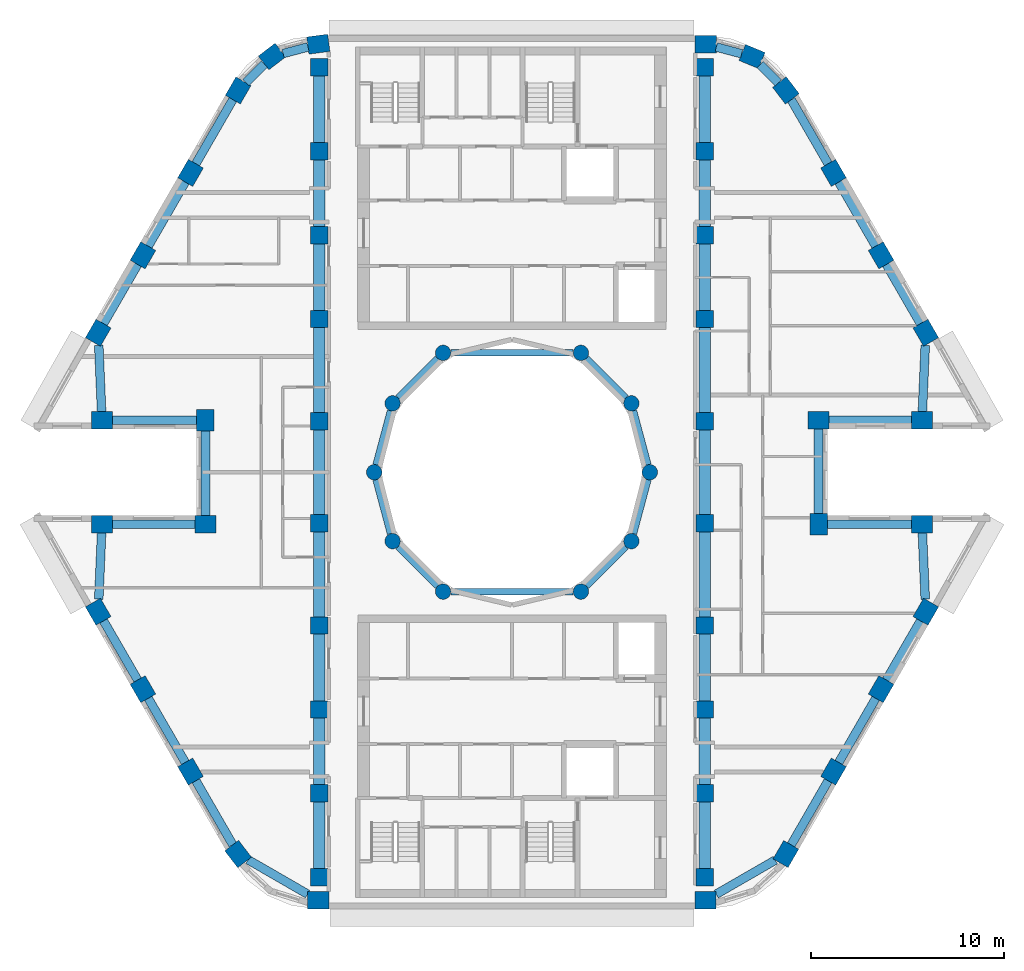
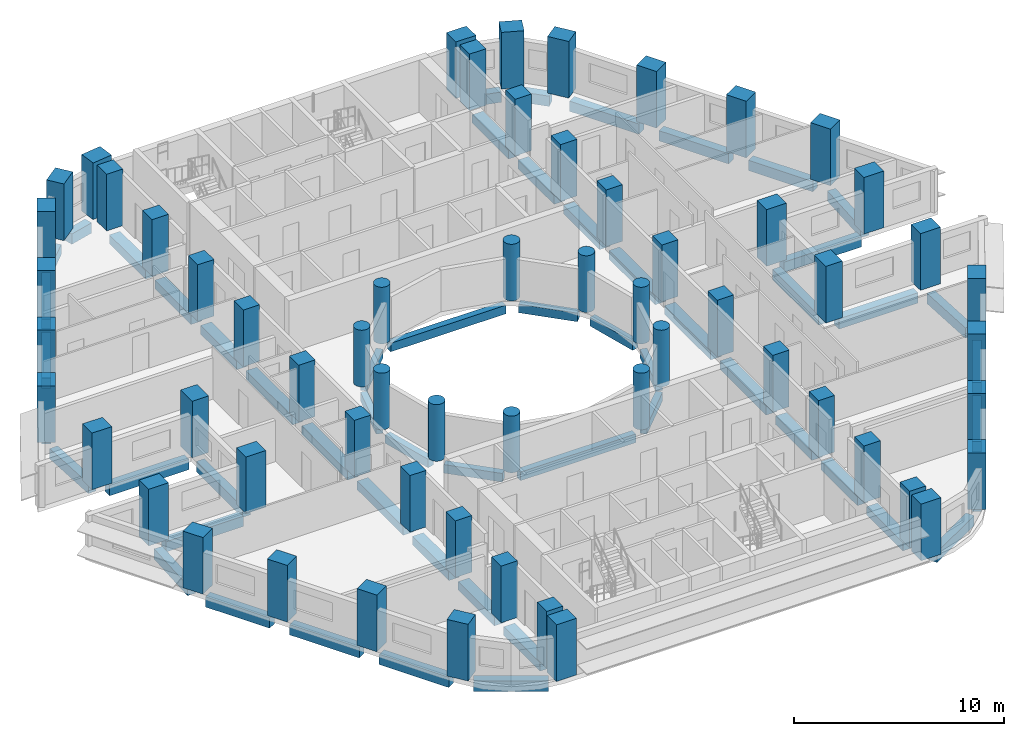
# One storey, part 1 of 12: 60 columns, 56 beams.
"""IFC4 building model written with IfcOpenShell, lengths in metres."""

from ifc_helpers import new_model, si_unit, direction, frame, origin, origin_2d, place, context, subcontext, project, spatial, rectangle, circle, extrude, material, material_profile, profile_set, type_object, element, save


model = new_model("IFC4")

# Units and contexts
model_context = context("Model", 3, precision=1e-05, world=origin(), true_north=direction((0.0, 1.0)))
body_context = subcontext(model_context, "Body", "Model", "MODEL_VIEW")
ifc_project = project(units=[si_unit("LENGTHUNIT", "METRE"), si_unit("AREAUNIT", "SQUARE_METRE"), si_unit("VOLUMEUNIT", "CUBIC_METRE"), si_unit("PLANEANGLEUNIT", "RADIAN"), si_unit("MASSUNIT", "GRAM", prefix="KILO")], contexts=[model_context])

# Site, building, storey
site_placement = place(None, origin())
site = spatial("IfcSite", under=ifc_project, at=site_placement, CompositionType="ELEMENT")
building_placement = place(site_placement, origin())
building = spatial("IfcBuilding", under=site, at=building_placement, Name="Nakaniwa Court", CompositionType="ELEMENT")
storey_placement = place(building_placement, frame((0.0, 0.0, 255.89990234375)))
storey = spatial("IfcBuildingStorey", under=building, at=storey_placement, Name="L67", CompositionType="ELEMENT", Elevation=255.89990234375)

# Columns
ifc_material = material(Name="Concrete C80/100", Category="concrete")
ifc_material_profile_1 = material_profile(ifc_material, rectangle(XDim=1.10009765625, YDim=0.89990234375, at=origin_2d()), Name="Concrete C80/100 RC 1100x900 perimeter column")
ifc_profile_set_1 = profile_set([ifc_material_profile_1], Name="Concrete C80/100")
column_type_1 = type_object("IfcColumnType", Name="Concrete C80/100 RC 1100x900 perimeter column", PredefinedType="COLUMN", material=ifc_profile_set_1)
for number, where, z_axis, x_axis, name in (
    (1, (69.95458984375, 102.199951171875, 0.0), (0.0, 0.0, 1.0), (-0.991442583111, -0.130543496177, 0.0), "COLUMN CO-01"),
    (2, (67.552001953125, 101.560302734375, 0.0), (0.0, 0.0, 1.0), (-0.793363965062, -0.608747582288, 0.0), "COLUMN CO-02"),
    (3, (65.796875, 99.799560546875, 0.0), (0.0, 0.0, 1.0), (-0.5, -0.866025403784, 0.0), "COLUMN CO-03"),
    (4, (63.328857421875, 95.524658203125, 0.0), (0.0, 0.0, 1.0), (-0.5, -0.866025403784, 0.0), "COLUMN CO-04"),
    (5, (60.860595703125, 91.249755859375, 0.0), (0.0, 0.0, 1.0), (-0.5, -0.866025403784, 0.0), "COLUMN CO-05"),
    (6, (58.541015625, 87.232177734375, 0.0), (0.0, 0.0, 1.0), (-0.5, -0.866025403784, 0.0), "COLUMN CO-06"),
    (7, (58.736083984375, 82.699951171875, 0.0), (0.0, 0.0, 1.0), (1.0, 0.0, 0.0), "COLUMN CO-08"),
    (8, (64.1005859375, 82.699951171875, 0.0), (0.0, 0.0, 1.0), (0.0, -1.0, 0.0), "COLUMN CO-09"),
    (9, (64.1005859375, 77.300048828125, 0.0), (0.0, 0.0, 1.0), (-1.0, 0.0, 0.0), "COLUMN CO-10"),
    (10, (58.736083984375, 77.300048828125, 0.0), (0.0, 0.0, 1.0), (-1.0, 0.0, 0.0), "COLUMN CO-11"),
    (11, (58.541015625, 72.767822265625, 0.0), (0.0, 0.0, 1.0), (0.5, -0.866025403784, 0.0), "COLUMN CO-13"),
    (12, (60.860595703125, 68.750244140625, 0.0), (0.0, 0.0, 1.0), (0.5, -0.866025403784, 0.0), "COLUMN CO-14"),
    (13, (63.328857421875, 64.475341796875, 0.0), (0.0, 0.0, 1.0), (0.5, -0.866025403784, 0.0), "COLUMN CO-15"),
    (14, (65.796875, 60.200439453125, 0.0), (0.0, 0.0, 1.0), (0.608761429009, -0.793353340291, 0.0), "COLUMN CO-16"),
    (15, (69.95458984375, 57.800048828125, 0.0), (0.0, 0.0, 1.0), (1.0, 0.0, 0.0), "COLUMN CO-17"),
    (16, (90.03955078125, 57.800048828125, 0.0), (0.0, 0.0, 1.0), (1.0, 0.0, 0.0), "COLUMN CO-21"),
    (17, (94.203125, 60.200439453125, 0.0), (0.0, 0.0, 1.0), (0.5, 0.866025403784, 0.0), "COLUMN CO-22"),
    (18, (96.671142578125, 64.475341796875, 0.0), (0.0, 0.0, 1.0), (0.5, 0.866025403784, 0.0), "COLUMN CO-23"),
    (19, (99.139404296875, 68.750244140625, 0.0), (0.0, 0.0, 1.0), (0.5, 0.866025403784, 0.0), "COLUMN CO-24"),
    (20, (101.458984375, 72.767822265625, 0.0), (0.0, 0.0, 1.0), (0.5, 0.866025403784, 0.0), "COLUMN CO-25"),
    (21, (101.263916015625, 77.300048828125, 0.0), (0.0, 0.0, 1.0), (-1.0, 0.0, 0.0), "COLUMN CO-27"),
    (22, (95.8994140625, 77.300048828125, 0.0), (0.0, 0.0, 1.0), (0.0, 1.0, 0.0), "COLUMN CO-28"),
    (23, (95.8994140625, 82.699951171875, 0.0), (0.0, 0.0, 1.0), (1.0, 0.0, 0.0), "COLUMN CO-29"),
    (24, (101.263916015625, 82.699951171875, 0.0), (0.0, 0.0, 1.0), (1.0, 0.0, 0.0), "COLUMN CO-30"),
    (25, (101.458984375, 87.232177734375, 0.0), (0.0, 0.0, 1.0), (-0.5, 0.866025403784, 0.0), "COLUMN CO-32"),
    (26, (99.139404296875, 91.249755859375, 0.0), (0.0, 0.0, 1.0), (-0.5, 0.866025403784, 0.0), "COLUMN CO-33"),
    (27, (96.671142578125, 95.524658203125, 0.0), (0.0, 0.0, 1.0), (-0.5, 0.866025403784, 0.0), "COLUMN CO-34"),
    (28, (94.203125, 99.799560546875, 0.0), (0.0, 0.0, 1.0), (-0.608761429009, 0.793353340291, 0.0), "COLUMN CO-35"),
    (29, (92.447998046875, 101.560302734375, 0.0), (0.0, 0.0, 1.0), (-0.923879532511, 0.382683432365, 0.0), "COLUMN CO-36"),
    (30, (90.04541015625, 102.199951171875, 0.0), (0.0, 0.0, 1.0), (-1.0, 0.0, 0.0), "COLUMN CO-37"),
):
    element("IfcColumn", number, at=place(storey_placement, frame(where, z_axis=z_axis, x_axis=x_axis)), inside=storey, type_object=column_type_1, Name=name, PredefinedType="COLUMN", context=body_context, shape_type="SweptSolid", body=[
        extrude(rectangle(XDim=1.10009765625, YDim=0.89990234375, at=origin_2d()), origin(), (0.0, 0.0, 1.0), 3.300048828125),
    ])
ifc_material_profile_2 = material_profile(ifc_material, rectangle(XDim=0.89990234375, YDim=0.89990234375, at=origin_2d()), Name="Concrete C80/100 RC 900x900 spine column")
ifc_profile_set_2 = profile_set([ifc_material_profile_2], Name="Concrete C80/100")
column_type_2 = type_object("IfcColumnType", Name="Concrete C80/100 RC 900x900 spine column", PredefinedType="COLUMN", material=ifc_profile_set_2)
for number, where, z_axis, x_axis, name in (
    (31, (90.0, 59.0, 0.0), (0.0, 0.0, 1.0), (0.0, 1.0, 0.0), "COLUMN CS-01"),
    (32, (90.0, 63.35009765625, 0.0), (0.0, 0.0, 1.0), (0.0, 1.0, 0.0), "COLUMN CS-02"),
    (33, (90.0, 67.699951171875, 0.0), (0.0, 0.0, 1.0), (0.0, 1.0, 0.0), "COLUMN CS-03"),
    (34, (90.0, 72.050048828125, 0.0), (0.0, 0.0, 1.0), (0.0, 1.0, 0.0), "COLUMN CS-04"),
    (35, (90.0, 77.35009765625, 0.0), (0.0, 0.0, 1.0), (0.0, 1.0, 0.0), "COLUMN CS-05"),
    (36, (90.0, 82.64990234375, 0.0), (0.0, 0.0, 1.0), (0.0, 1.0, 0.0), "COLUMN CS-06"),
    (37, (90.0, 87.949951171875, 0.0), (0.0, 0.0, 1.0), (0.0, 1.0, 0.0), "COLUMN CS-07"),
    (38, (90.0, 92.300048828125, 0.0), (0.0, 0.0, 1.0), (0.0, 1.0, 0.0), "COLUMN CS-08"),
    (39, (90.0, 96.64990234375, 0.0), (0.0, 0.0, 1.0), (0.0, 1.0, 0.0), "COLUMN CS-09"),
    (40, (90.0, 101.0, 0.0), (0.0, 0.0, 1.0), (0.0, 1.0, 0.0), "COLUMN CS-10"),
    (41, (70.0, 101.0, 0.0), (0.0, 0.0, 1.0), (0.0, -1.0, 0.0), "COLUMN CS-11"),
    (42, (70.0, 96.64990234375, 0.0), (0.0, 0.0, 1.0), (0.0, -1.0, 0.0), "COLUMN CS-12"),
    (43, (70.0, 92.300048828125, 0.0), (0.0, 0.0, 1.0), (0.0, -1.0, 0.0), "COLUMN CS-13"),
    (44, (70.0, 87.949951171875, 0.0), (0.0, 0.0, 1.0), (0.0, -1.0, 0.0), "COLUMN CS-14"),
    (45, (70.0, 82.64990234375, 0.0), (0.0, 0.0, 1.0), (0.0, -1.0, 0.0), "COLUMN CS-15"),
    (46, (70.0, 77.35009765625, 0.0), (0.0, 0.0, 1.0), (0.0, -1.0, 0.0), "COLUMN CS-16"),
    (47, (70.0, 72.050048828125, 0.0), (0.0, 0.0, 1.0), (0.0, -1.0, 0.0), "COLUMN CS-17"),
    (48, (70.0, 67.699951171875, 0.0), (0.0, 0.0, 1.0), (0.0, -1.0, 0.0), "COLUMN CS-18"),
    (49, (70.0, 63.35009765625, 0.0), (0.0, 0.0, 1.0), (0.0, -1.0, 0.0), "COLUMN CS-19"),
    (50, (70.0, 59.0, 0.0), (0.0, 0.0, 1.0), (0.0, -1.0, 0.0), "COLUMN CS-20"),
):
    element("IfcColumn", number, at=place(storey_placement, frame(where, z_axis=z_axis, x_axis=x_axis)), inside=storey, type_object=column_type_2, Name=name, PredefinedType="COLUMN", context=body_context, shape_type="SweptSolid", body=[
        extrude(rectangle(XDim=0.89990234375, YDim=0.89990234375, at=origin_2d()), origin(), (0.0, 0.0, 1.0), 3.300048828125),
    ])
ifc_material_profile_3 = material_profile(ifc_material, circle(Radius=0.39990234375, at=origin_2d()), Name="Concrete C80/100 RC D800 inner ring column")
ifc_profile_set_3 = profile_set([ifc_material_profile_3], Name="Concrete C80/100")
column_type_3 = type_object("IfcColumnType", Name="Concrete C80/100 RC D800 inner ring column", PredefinedType="COLUMN", material=ifc_profile_set_3)
for number, where, z_axis, x_axis, name in (
    (51, (87.14990234375, 80.0, 0.0), (0.0, 0.0, 1.0), (0.0, 1.0, 0.0), "COLUMN CI-01"),
    (52, (86.192138671875, 83.574951171875, 0.0), (0.0, 0.0, 1.0), (-0.5, 0.866025403784, 0.0), "COLUMN CI-02"),
    (53, (83.574951171875, 86.192138671875, 0.0), (0.0, 0.0, 1.0), (-0.866025403784, 0.5, 0.0), "COLUMN CI-03"),
    (54, (76.425048828125, 86.192138671875, 0.0), (0.0, 0.0, 1.0), (-0.866025403784, -0.5, 0.0), "COLUMN CI-05"),
    (55, (73.807861328125, 83.574951171875, 0.0), (0.0, 0.0, 1.0), (-0.5, -0.866025403784, 0.0), "COLUMN CI-06"),
    (56, (72.85009765625, 80.0, 0.0), (0.0, 0.0, 1.0), (0.0, -1.0, 0.0), "COLUMN CI-07"),
    (57, (73.807861328125, 76.425048828125, 0.0), (0.0, 0.0, 1.0), (0.5, -0.866025403784, 0.0), "COLUMN CI-08"),
    (58, (76.425048828125, 73.807861328125, 0.0), (0.0, 0.0, 1.0), (0.866025403784, -0.5, 0.0), "COLUMN CI-09"),
    (59, (83.574951171875, 73.807861328125, 0.0), (0.0, 0.0, 1.0), (0.866025403784, 0.5, 0.0), "COLUMN CI-11"),
    (60, (86.192138671875, 76.425048828125, 0.0), (0.0, 0.0, 1.0), (0.5, 0.866025403784, 0.0), "COLUMN CI-12"),
):
    element("IfcColumn", number, at=place(storey_placement, frame(where, z_axis=z_axis, x_axis=x_axis)), inside=storey, type_object=column_type_3, Name=name, PredefinedType="COLUMN", context=body_context, shape_type="SweptSolid", body=[
        extrude(circle(Radius=0.39990234375, at=origin_2d()), origin(), (0.0, 0.0, 1.0), 3.300048828125),
    ])

# Beams
ifc_material_profile_4 = material_profile(ifc_material, rectangle(XDim=0.35009765625, YDim=0.5, at=origin_2d()), Name="Concrete C80/100 RC 350x500 ring beam")
ifc_profile_set_4 = profile_set([ifc_material_profile_4], Name="Concrete C80/100")
beam_type_1 = type_object("IfcBeamType", Name="Concrete C80/100 RC 350x500 ring beam", PredefinedType="BEAM", material=ifc_profile_set_4)
beam_1_placement = place(storey_placement, frame((87.04638671875, 80.386474609375, -0.52490234375), z_axis=(-0.258778150207, 0.965936783115, 0.0), x_axis=(-0.965936783115, -0.258778150207, 0.0)))
element("IfcBeam", 61, at=beam_1_placement, inside=storey, type_object=beam_type_1, Name="RING BEAM", PredefinedType="BEAM", context=body_context, shape_type="SweptSolid", body=[
    extrude(rectangle(XDim=0.35009765625, YDim=0.5, at=origin_2d()), origin(), (0.0, 0.0, 1.0), 2.901123046875),
])
beam_2_placement = place(storey_placement, frame((85.9091796875, 83.85791015625, -0.52490234375), z_axis=(-0.707106781187, 0.707106781187, 0.0), x_axis=(-0.707106781187, -0.707106781187, 0.0)))
element("IfcBeam", 62, at=beam_2_placement, inside=storey, type_object=beam_type_1, Name="RING BEAM", PredefinedType="BEAM", context=body_context, shape_type="SweptSolid", body=[
    extrude(rectangle(XDim=0.35009765625, YDim=0.5, at=origin_2d()), origin(), (0.0, 0.0, 1.0), 2.90087890625),
])
beam_3_placement = place(storey_placement, frame((83.175048828125, 86.192138671875, -0.52490234375), z_axis=(-1.0, 0.0, 0.0), x_axis=(0.0, -1.0, 0.0)))
element("IfcBeam", 63, at=beam_3_placement, inside=storey, type_object=beam_type_1, Name="RING BEAM", PredefinedType="BEAM", context=body_context, shape_type="SweptSolid", body=[
    extrude(rectangle(XDim=0.35009765625, YDim=0.5, at=origin_2d()), origin(), (0.0, 0.0, 1.0), 6.35009765625),
])
beam_4_placement = place(storey_placement, frame((76.14208984375, 85.9091796875, -0.52490234375), z_axis=(-0.707106781187, -0.707106781187, 0.0), x_axis=(0.707106781187, -0.707106781187, 0.0)))
element("IfcBeam", 64, at=beam_4_placement, inside=storey, type_object=beam_type_1, Name="RING BEAM", PredefinedType="BEAM", context=body_context, shape_type="SweptSolid", body=[
    extrude(rectangle(XDim=0.35009765625, YDim=0.5, at=origin_2d()), origin(), (0.0, 0.0, 1.0), 2.90087890625),
])
for number, where, z_axis, x_axis, name in (
    (65, (73.704345703125, 83.188720703125, -0.52490234375), (-0.258778150207, -0.965936783115, 0.0), (0.965936783115, -0.258778150207, 0.0), "RING BEAM"),
    (66, (72.95361328125, 79.613525390625, -0.52490234375), (0.258778150207, -0.965936783115, 0.0), (0.965936783115, 0.258778150207, 0.0), "RING BEAM"),
):
    element("IfcBeam", number, at=place(storey_placement, frame(where, z_axis=z_axis, x_axis=x_axis)), inside=storey, type_object=beam_type_1, Name=name, PredefinedType="BEAM", context=body_context, shape_type="SweptSolid", body=[
        extrude(rectangle(XDim=0.35009765625, YDim=0.5, at=origin_2d()), origin(), (0.0, 0.0, 1.0), 2.901123046875),
    ])
beam_5_placement = place(storey_placement, frame((74.0908203125, 76.14208984375, -0.52490234375), z_axis=(0.707106781187, -0.707106781187, 0.0), x_axis=(0.707106781187, 0.707106781187, 0.0)))
element("IfcBeam", 67, at=beam_5_placement, inside=storey, type_object=beam_type_1, Name="RING BEAM", PredefinedType="BEAM", context=body_context, shape_type="SweptSolid", body=[
    extrude(rectangle(XDim=0.35009765625, YDim=0.5, at=origin_2d()), origin(), (0.0, 0.0, 1.0), 2.90087890625),
])
beam_6_placement = place(storey_placement, frame((76.824951171875, 73.807861328125, -0.52490234375), z_axis=(1.0, 0.0, 0.0), x_axis=(0.0, 1.0, 0.0)))
element("IfcBeam", 68, at=beam_6_placement, inside=storey, type_object=beam_type_1, Name="RING BEAM", PredefinedType="BEAM", context=body_context, shape_type="SweptSolid", body=[
    extrude(rectangle(XDim=0.35009765625, YDim=0.5, at=origin_2d()), origin(), (0.0, 0.0, 1.0), 6.35009765625),
])
beam_7_placement = place(storey_placement, frame((83.85791015625, 74.0908203125, -0.52490234375), z_axis=(0.707106781187, 0.707106781187, 0.0), x_axis=(-0.707106781187, 0.707106781187, 0.0)))
element("IfcBeam", 69, at=beam_7_placement, inside=storey, type_object=beam_type_1, Name="RING BEAM", PredefinedType="BEAM", context=body_context, shape_type="SweptSolid", body=[
    extrude(rectangle(XDim=0.35009765625, YDim=0.5, at=origin_2d()), origin(), (0.0, 0.0, 1.0), 2.90087890625),
])
beam_8_placement = place(storey_placement, frame((86.295654296875, 76.811279296875, -0.52490234375), z_axis=(0.258778150207, 0.965936783115, 0.0), x_axis=(-0.965936783115, 0.258778150207, 0.0)))
element("IfcBeam", 70, at=beam_8_placement, inside=storey, type_object=beam_type_1, Name="RING BEAM", PredefinedType="BEAM", context=body_context, shape_type="SweptSolid", body=[
    extrude(rectangle(XDim=0.35009765625, YDim=0.5, at=origin_2d()), origin(), (0.0, 0.0, 1.0), 2.901123046875),
])
ifc_material_profile_5 = material_profile(ifc_material, rectangle(XDim=0.449951171875, YDim=0.60009765625, at=origin_2d()), Name="Concrete C80/100 RC 450x600 spandrel beam")
ifc_profile_set_5 = profile_set([ifc_material_profile_5], Name="Concrete C80/100")
beam_type_2 = type_object("IfcBeamType", Name="Concrete C80/100 RC 450x600 spandrel beam", PredefinedType="BEAM", material=ifc_profile_set_5)
beam_9_placement = place(storey_placement, frame((69.418701171875, 102.057373046875, -0.574951171875), z_axis=(-0.966286479475, -0.257469298332, 0.0), x_axis=(0.257469298332, -0.966286479475, 0.0)))
element("IfcBeam", 71, at=beam_9_placement, inside=storey, type_object=beam_type_2, Name="SPANDREL BEAM", PredefinedType="BEAM", context=body_context, shape_type="SweptSolid", body=[
    extrude(rectangle(XDim=0.449951171875, YDim=0.60009765625, at=origin_2d()), origin(), (0.0, 0.0, 1.0), 1.3359375),
])
beam_10_placement = place(storey_placement, frame((67.160400390625, 101.167236328125, -0.574951171875), z_axis=(-0.706030517025, -0.708181409689, 0.0), x_axis=(0.708181409689, -0.706030517025, 0.0)))
element("IfcBeam", 72, at=beam_10_placement, inside=storey, type_object=beam_type_2, Name="SPANDREL BEAM", PredefinedType="BEAM", context=body_context, shape_type="SweptSolid", body=[
    extrude(rectangle(XDim=0.449951171875, YDim=0.60009765625, at=origin_2d()), origin(), (0.0, 0.0, 1.0), 1.362060546875),
])
for number, where, z_axis, x_axis, name in (
    (73, (65.52197265625, 99.3232421875, -0.574951171875), (-0.50001992892, -0.866013897511, 0.0), (0.866013897511, -0.50001992892, 0.0), "SPANDREL BEAM"),
    (74, (63.0537109375, 95.04833984375, -0.574951171875), (-0.499972197867, -0.866041454758, 0.0), (0.866041454758, -0.499972197867, 0.0), "SPANDREL BEAM"),
):
    element("IfcBeam", number, at=place(storey_placement, frame(where, z_axis=z_axis, x_axis=x_axis)), inside=storey, type_object=beam_type_2, Name=name, PredefinedType="BEAM", context=body_context, shape_type="SweptSolid", body=[
        extrude(rectangle(XDim=0.449951171875, YDim=0.60009765625, at=origin_2d()), origin(), (0.0, 0.0, 1.0), 3.836181640625),
    ])
beam_11_placement = place(storey_placement, frame((60.585693359375, 90.7734375, -0.574951171875), z_axis=(-0.499997139945, -0.866027055032, 0.0), x_axis=(0.866027055032, -0.499997139945, 0.0)))
element("IfcBeam", 75, at=beam_11_placement, inside=storey, type_object=beam_type_2, Name="SPANDREL BEAM", PredefinedType="BEAM", context=body_context, shape_type="SweptSolid", body=[
    extrude(rectangle(XDim=0.449951171875, YDim=0.60009765625, at=origin_2d()), origin(), (0.0, 0.0, 1.0), 3.5390625),
])
beam_12_placement = place(storey_placement, frame((58.569091796875, 86.580810546875, -0.574951171875), z_axis=(0.042940503042, -0.999077631217, 0.0), x_axis=(0.999077631217, 0.042940503042, 0.0)))
element("IfcBeam", 76, at=beam_12_placement, inside=storey, type_object=beam_type_2, Name="SPANDREL BEAM", PredefinedType="BEAM", context=body_context, shape_type="SweptSolid", body=[
    extrude(rectangle(XDim=0.449951171875, YDim=0.60009765625, at=origin_2d()), origin(), (0.0, 0.0, 1.0), 3.43408203125),
])
beam_13_placement = place(storey_placement, frame((59.285888671875, 82.699951171875, -0.574951171875), z_axis=(1.0, 0.0, 0.0), x_axis=(0.0, 1.0, 0.0)))
element("IfcBeam", 77, at=beam_13_placement, inside=storey, type_object=beam_type_2, Name="SPANDREL BEAM", PredefinedType="BEAM", context=body_context, shape_type="SweptSolid", body=[
    extrude(rectangle(XDim=0.449951171875, YDim=0.60009765625, at=origin_2d()), origin(), (0.0, 0.0, 1.0), 4.364501953125),
])
beam_14_placement = place(storey_placement, frame((64.1005859375, 82.14990234375, -0.574951171875), z_axis=(0.0, -1.0, 0.0), x_axis=(1.0, 0.0, 0.0)))
element("IfcBeam", 78, at=beam_14_placement, inside=storey, type_object=beam_type_2, Name="SPANDREL BEAM", PredefinedType="BEAM", context=body_context, shape_type="SweptSolid", body=[
    extrude(rectangle(XDim=0.449951171875, YDim=0.60009765625, at=origin_2d()), origin(), (0.0, 0.0, 1.0), 4.39990234375),
])
beam_15_placement = place(storey_placement, frame((63.550537109375, 77.300048828125, -0.574951171875), z_axis=(-1.0, 0.0, 0.0), x_axis=(0.0, -1.0, 0.0)))
element("IfcBeam", 79, at=beam_15_placement, inside=storey, type_object=beam_type_2, Name="SPANDREL BEAM", PredefinedType="BEAM", context=body_context, shape_type="SweptSolid", body=[
    extrude(rectangle(XDim=0.449951171875, YDim=0.60009765625, at=origin_2d()), origin(), (0.0, 0.0, 1.0), 4.2646484375),
])
beam_16_placement = place(storey_placement, frame((58.716552734375, 76.85009765625, -0.574951171875), z_axis=(-0.042940503042, -0.999077631217, 0.0), x_axis=(0.999077631217, -0.042940503042, 0.0)))
element("IfcBeam", 80, at=beam_16_placement, inside=storey, type_object=beam_type_2, Name="SPANDREL BEAM", PredefinedType="BEAM", context=body_context, shape_type="SweptSolid", body=[
    extrude(rectangle(XDim=0.449951171875, YDim=0.60009765625, at=origin_2d()), origin(), (0.0, 0.0, 1.0), 3.43408203125),
])
beam_17_placement = place(storey_placement, frame((58.816162109375, 72.29150390625, -0.574951171875), z_axis=(0.499997139945, -0.866027055032, 0.0), x_axis=(0.866027055032, 0.499997139945, 0.0)))
element("IfcBeam", 81, at=beam_17_placement, inside=storey, type_object=beam_type_2, Name="SPANDREL BEAM", PredefinedType="BEAM", context=body_context, shape_type="SweptSolid", body=[
    extrude(rectangle(XDim=0.449951171875, YDim=0.60009765625, at=origin_2d()), origin(), (0.0, 0.0, 1.0), 3.5390625),
])
beam_18_placement = place(storey_placement, frame((61.1357421875, 68.27392578125, -0.574951171875), z_axis=(0.499972197867, -0.866041454758, 0.0), x_axis=(0.866041454758, 0.499972197867, 0.0)))
element("IfcBeam", 82, at=beam_18_placement, inside=storey, type_object=beam_type_2, Name="SPANDREL BEAM", PredefinedType="BEAM", context=body_context, shape_type="SweptSolid", body=[
    extrude(rectangle(XDim=0.449951171875, YDim=0.60009765625, at=origin_2d()), origin(), (0.0, 0.0, 1.0), 3.836181640625),
])
beam_19_placement = place(storey_placement, frame((63.603759765625, 63.9990234375, -0.574951171875), z_axis=(0.500011110731, -0.866018988906, 0.0), x_axis=(0.866018988906, 0.500011110731, 0.0)))
element("IfcBeam", 83, at=beam_19_placement, inside=storey, type_object=beam_type_2, Name="SPANDREL BEAM", PredefinedType="BEAM", context=body_context, shape_type="SweptSolid", body=[
    extrude(rectangle(XDim=0.449951171875, YDim=0.60009765625, at=origin_2d()), origin(), (0.0, 0.0, 1.0), 3.83154296875),
])
beam_20_placement = place(storey_placement, frame((66.3125, 59.90283203125, -0.574951171875), z_axis=(0.866017069707, -0.500014434768, 0.0), x_axis=(0.500014434768, 0.866017069707, 0.0)))
element("IfcBeam", 84, at=beam_20_placement, inside=storey, type_object=beam_type_2, Name="SPANDREL BEAM", PredefinedType="BEAM", context=body_context, shape_type="SweptSolid", body=[
    extrude(rectangle(XDim=0.449951171875, YDim=0.60009765625, at=origin_2d()), origin(), (0.0, 0.0, 1.0), 3.57080078125),
])
beam_21_placement = place(storey_placement, frame((90.589599609375, 58.1171875, -0.574951171875), z_axis=(0.866307414098, 0.499511225378, 0.0), x_axis=(-0.499511225378, 0.866307414098, 0.0)))
element("IfcBeam", 85, at=beam_21_placement, inside=storey, type_object=beam_type_2, Name="SPANDREL BEAM", PredefinedType="BEAM", context=body_context, shape_type="SweptSolid", body=[
    extrude(rectangle(XDim=0.449951171875, YDim=0.60009765625, at=origin_2d()), origin(), (0.0, 0.0, 1.0), 3.53564453125),
])
for number, where, z_axis, x_axis, name in (
    (86, (94.47802734375, 60.6767578125, -0.574951171875), (0.50001992892, 0.866013897511, 0.0), (-0.866013897511, 0.50001992892, 0.0), "SPANDREL BEAM"),
    (87, (96.9462890625, 64.95166015625, -0.574951171875), (0.499972197867, 0.866041454758, 0.0), (-0.866041454758, 0.499972197867, 0.0), "SPANDREL BEAM"),
):
    element("IfcBeam", number, at=place(storey_placement, frame(where, z_axis=z_axis, x_axis=x_axis)), inside=storey, type_object=beam_type_2, Name=name, PredefinedType="BEAM", context=body_context, shape_type="SweptSolid", body=[
        extrude(rectangle(XDim=0.449951171875, YDim=0.60009765625, at=origin_2d()), origin(), (0.0, 0.0, 1.0), 3.836181640625),
    ])
beam_22_placement = place(storey_placement, frame((99.414306640625, 69.2265625, -0.574951171875), z_axis=(0.499997139945, 0.866027055032, 0.0), x_axis=(-0.866027055032, 0.499997139945, 0.0)))
element("IfcBeam", 88, at=beam_22_placement, inside=storey, type_object=beam_type_2, Name="SPANDREL BEAM", PredefinedType="BEAM", context=body_context, shape_type="SweptSolid", body=[
    extrude(rectangle(XDim=0.449951171875, YDim=0.60009765625, at=origin_2d()), origin(), (0.0, 0.0, 1.0), 3.5390625),
])
beam_23_placement = place(storey_placement, frame((101.430908203125, 73.419189453125, -0.574951171875), z_axis=(-0.042940503042, 0.999077631217, 0.0), x_axis=(-0.999077631217, -0.042940503042, 0.0)))
element("IfcBeam", 89, at=beam_23_placement, inside=storey, type_object=beam_type_2, Name="SPANDREL BEAM", PredefinedType="BEAM", context=body_context, shape_type="SweptSolid", body=[
    extrude(rectangle(XDim=0.449951171875, YDim=0.60009765625, at=origin_2d()), origin(), (0.0, 0.0, 1.0), 3.43408203125),
])
beam_24_placement = place(storey_placement, frame((100.714111328125, 77.300048828125, -0.574951171875), z_axis=(-1.0, 0.0, 0.0), x_axis=(0.0, -1.0, 0.0)))
element("IfcBeam", 90, at=beam_24_placement, inside=storey, type_object=beam_type_2, Name="SPANDREL BEAM", PredefinedType="BEAM", context=body_context, shape_type="SweptSolid", body=[
    extrude(rectangle(XDim=0.449951171875, YDim=0.60009765625, at=origin_2d()), origin(), (0.0, 0.0, 1.0), 4.364501953125),
])
beam_25_placement = place(storey_placement, frame((95.8994140625, 77.85009765625, -0.574951171875), z_axis=(0.0, 1.0, 0.0), x_axis=(-1.0, 0.0, 0.0)))
element("IfcBeam", 91, at=beam_25_placement, inside=storey, type_object=beam_type_2, Name="SPANDREL BEAM", PredefinedType="BEAM", context=body_context, shape_type="SweptSolid", body=[
    extrude(rectangle(XDim=0.449951171875, YDim=0.60009765625, at=origin_2d()), origin(), (0.0, 0.0, 1.0), 4.39990234375),
])
beam_26_placement = place(storey_placement, frame((96.449462890625, 82.699951171875, -0.574951171875), z_axis=(1.0, 0.0, 0.0), x_axis=(0.0, 1.0, 0.0)))
element("IfcBeam", 92, at=beam_26_placement, inside=storey, type_object=beam_type_2, Name="SPANDREL BEAM", PredefinedType="BEAM", context=body_context, shape_type="SweptSolid", body=[
    extrude(rectangle(XDim=0.449951171875, YDim=0.60009765625, at=origin_2d()), origin(), (0.0, 0.0, 1.0), 4.2646484375),
])
beam_27_placement = place(storey_placement, frame((101.283447265625, 83.14990234375, -0.574951171875), z_axis=(0.042940503042, 0.999077631217, 0.0), x_axis=(-0.999077631217, 0.042940503042, 0.0)))
element("IfcBeam", 93, at=beam_27_placement, inside=storey, type_object=beam_type_2, Name="SPANDREL BEAM", PredefinedType="BEAM", context=body_context, shape_type="SweptSolid", body=[
    extrude(rectangle(XDim=0.449951171875, YDim=0.60009765625, at=origin_2d()), origin(), (0.0, 0.0, 1.0), 3.43408203125),
])
beam_28_placement = place(storey_placement, frame((101.183837890625, 87.70849609375, -0.574951171875), z_axis=(-0.499997139945, 0.866027055032, 0.0), x_axis=(-0.866027055032, -0.499997139945, 0.0)))
element("IfcBeam", 94, at=beam_28_placement, inside=storey, type_object=beam_type_2, Name="SPANDREL BEAM", PredefinedType="BEAM", context=body_context, shape_type="SweptSolid", body=[
    extrude(rectangle(XDim=0.449951171875, YDim=0.60009765625, at=origin_2d()), origin(), (0.0, 0.0, 1.0), 3.5390625),
])
beam_29_placement = place(storey_placement, frame((98.8642578125, 91.72607421875, -0.574951171875), z_axis=(-0.499972197867, 0.866041454758, 0.0), x_axis=(-0.866041454758, -0.499972197867, 0.0)))
element("IfcBeam", 95, at=beam_29_placement, inside=storey, type_object=beam_type_2, Name="SPANDREL BEAM", PredefinedType="BEAM", context=body_context, shape_type="SweptSolid", body=[
    extrude(rectangle(XDim=0.449951171875, YDim=0.60009765625, at=origin_2d()), origin(), (0.0, 0.0, 1.0), 3.836181640625),
])
beam_30_placement = place(storey_placement, frame((96.396240234375, 96.0009765625, -0.574951171875), z_axis=(-0.500011110731, 0.866018988906, 0.0), x_axis=(-0.866018988906, -0.500011110731, 0.0)))
element("IfcBeam", 96, at=beam_30_placement, inside=storey, type_object=beam_type_2, Name="SPANDREL BEAM", PredefinedType="BEAM", context=body_context, shape_type="SweptSolid", body=[
    extrude(rectangle(XDim=0.449951171875, YDim=0.60009765625, at=origin_2d()), origin(), (0.0, 0.0, 1.0), 3.83154296875),
])
beam_31_placement = place(storey_placement, frame((93.8115234375, 100.1923828125, -0.574951171875), z_axis=(-0.706100745773, 0.708111387296, 0.0), x_axis=(-0.708111387296, -0.706100745773, 0.0)))
element("IfcBeam", 97, at=beam_31_placement, inside=storey, type_object=beam_type_2, Name="SPANDREL BEAM", PredefinedType="BEAM", context=body_context, shape_type="SweptSolid", body=[
    extrude(rectangle(XDim=0.449951171875, YDim=0.60009765625, at=origin_2d()), origin(), (0.0, 0.0, 1.0), 1.335693359375),
])
beam_32_placement = place(storey_placement, frame((91.91162109375, 101.702880859375, -0.574951171875), z_axis=(-0.966318174979, 0.257350315146, 0.0), x_axis=(-0.257350315146, -0.966318174979, 0.0)))
element("IfcBeam", 98, at=beam_32_placement, inside=storey, type_object=beam_type_2, Name="SPANDREL BEAM", PredefinedType="BEAM", context=body_context, shape_type="SweptSolid", body=[
    extrude(rectangle(XDim=0.449951171875, YDim=0.60009765625, at=origin_2d()), origin(), (0.0, 0.0, 1.0), 1.3623046875),
])
ifc_material_profile_6 = material_profile(ifc_material, rectangle(XDim=0.60009765625, YDim=0.5, at=origin_2d()), Name="Concrete C80/100 RC 600x500 ring beam")
ifc_profile_set_6 = profile_set([ifc_material_profile_6], Name="Concrete C80/100")
beam_type_3 = type_object("IfcBeamType", Name="Concrete C80/100 RC 600x500 ring beam", PredefinedType="BEAM", material=ifc_profile_set_6)
for number, where, z_axis, x_axis, name in (
    (99, (90.0, 59.449951171875, -0.52490234375), (0.0, 1.0, 0.0), (-1.0, 0.0, 0.0), "RING BEAM"),
    (100, (90.0, 63.800048828125, -0.52490234375), (0.0, 1.0, 0.0), (-1.0, 0.0, 0.0), "RING BEAM"),
):
    element("IfcBeam", number, at=place(storey_placement, frame(where, z_axis=z_axis, x_axis=x_axis)), inside=storey, type_object=beam_type_3, Name=name, PredefinedType="BEAM", context=body_context, shape_type="SweptSolid", body=[
        extrude(rectangle(XDim=0.60009765625, YDim=0.5, at=origin_2d()), origin(), (0.0, 0.0, 1.0), 3.449951171875),
    ])
beam_33_placement = place(storey_placement, frame((90.0, 68.14990234375, -0.52490234375), z_axis=(0.0, 1.0, 0.0), x_axis=(-1.0, 0.0, 0.0)))
element("IfcBeam", 101, at=beam_33_placement, inside=storey, type_object=beam_type_3, Name="RING BEAM", PredefinedType="BEAM", context=body_context, shape_type="SweptSolid", body=[
    extrude(rectangle(XDim=0.60009765625, YDim=0.5, at=origin_2d()), origin(), (0.0, 0.0, 1.0), 3.4501953125),
])
for number, where, z_axis, x_axis, name in (
    (102, (90.0, 72.5, -0.52490234375), (0.0, 1.0, 0.0), (-1.0, 0.0, 0.0), "RING BEAM"),
    (103, (90.0, 77.800048828125, -0.52490234375), (0.0, 1.0, 0.0), (-1.0, 0.0, 0.0), "RING BEAM"),
    (104, (90.0, 83.10009765625, -0.52490234375), (0.0, 1.0, 0.0), (-1.0, 0.0, 0.0), "RING BEAM"),
):
    element("IfcBeam", number, at=place(storey_placement, frame(where, z_axis=z_axis, x_axis=x_axis)), inside=storey, type_object=beam_type_3, Name=name, PredefinedType="BEAM", context=body_context, shape_type="SweptSolid", body=[
        extrude(rectangle(XDim=0.60009765625, YDim=0.5, at=origin_2d()), origin(), (0.0, 0.0, 1.0), 4.39990234375),
    ])
beam_34_placement = place(storey_placement, frame((90.0, 88.39990234375, -0.52490234375), z_axis=(0.0, 1.0, 0.0), x_axis=(-1.0, 0.0, 0.0)))
element("IfcBeam", 105, at=beam_34_placement, inside=storey, type_object=beam_type_3, Name="RING BEAM", PredefinedType="BEAM", context=body_context, shape_type="SweptSolid", body=[
    extrude(rectangle(XDim=0.60009765625, YDim=0.5, at=origin_2d()), origin(), (0.0, 0.0, 1.0), 3.4501953125),
])
for number, where, z_axis, x_axis, name in (
    (106, (90.0, 92.75, -0.52490234375), (0.0, 1.0, 0.0), (-1.0, 0.0, 0.0), "RING BEAM"),
    (107, (90.0, 97.10009765625, -0.52490234375), (0.0, 1.0, 0.0), (-1.0, 0.0, 0.0), "RING BEAM"),
    (108, (70.0, 100.550048828125, -0.52490234375), (0.0, -1.0, 0.0), (1.0, 0.0, 0.0), "RING BEAM"),
    (109, (70.0, 96.199951171875, -0.52490234375), (0.0, -1.0, 0.0), (1.0, 0.0, 0.0), "RING BEAM"),
):
    element("IfcBeam", number, at=place(storey_placement, frame(where, z_axis=z_axis, x_axis=x_axis)), inside=storey, type_object=beam_type_3, Name=name, PredefinedType="BEAM", context=body_context, shape_type="SweptSolid", body=[
        extrude(rectangle(XDim=0.60009765625, YDim=0.5, at=origin_2d()), origin(), (0.0, 0.0, 1.0), 3.449951171875),
    ])
beam_35_placement = place(storey_placement, frame((70.0, 91.85009765625, -0.52490234375), z_axis=(0.0, -1.0, 0.0), x_axis=(1.0, 0.0, 0.0)))
element("IfcBeam", 110, at=beam_35_placement, inside=storey, type_object=beam_type_3, Name="RING BEAM", PredefinedType="BEAM", context=body_context, shape_type="SweptSolid", body=[
    extrude(rectangle(XDim=0.60009765625, YDim=0.5, at=origin_2d()), origin(), (0.0, 0.0, 1.0), 3.4501953125),
])
for number, where, z_axis, x_axis, name in (
    (111, (70.0, 87.5, -0.52490234375), (0.0, -1.0, 0.0), (1.0, 0.0, 0.0), "RING BEAM"),
    (112, (70.0, 82.199951171875, -0.52490234375), (0.0, -1.0, 0.0), (1.0, 0.0, 0.0), "RING BEAM"),
    (113, (70.0, 76.89990234375, -0.52490234375), (0.0, -1.0, 0.0), (1.0, 0.0, 0.0), "RING BEAM"),
):
    element("IfcBeam", number, at=place(storey_placement, frame(where, z_axis=z_axis, x_axis=x_axis)), inside=storey, type_object=beam_type_3, Name=name, PredefinedType="BEAM", context=body_context, shape_type="SweptSolid", body=[
        extrude(rectangle(XDim=0.60009765625, YDim=0.5, at=origin_2d()), origin(), (0.0, 0.0, 1.0), 4.39990234375),
    ])
beam_36_placement = place(storey_placement, frame((70.0, 71.60009765625, -0.52490234375), z_axis=(0.0, -1.0, 0.0), x_axis=(1.0, 0.0, 0.0)))
element("IfcBeam", 114, at=beam_36_placement, inside=storey, type_object=beam_type_3, Name="RING BEAM", PredefinedType="BEAM", context=body_context, shape_type="SweptSolid", body=[
    extrude(rectangle(XDim=0.60009765625, YDim=0.5, at=origin_2d()), origin(), (0.0, 0.0, 1.0), 3.4501953125),
])
for number, where, z_axis, x_axis, name in (
    (115, (70.0, 67.25, -0.52490234375), (0.0, -1.0, 0.0), (1.0, 0.0, 0.0), "RING BEAM"),
    (116, (70.0, 62.89990234375, -0.52490234375), (0.0, -1.0, 0.0), (1.0, 0.0, 0.0), "RING BEAM"),
):
    element("IfcBeam", number, at=place(storey_placement, frame(where, z_axis=z_axis, x_axis=x_axis)), inside=storey, type_object=beam_type_3, Name=name, PredefinedType="BEAM", context=body_context, shape_type="SweptSolid", body=[
        extrude(rectangle(XDim=0.60009765625, YDim=0.5, at=origin_2d()), origin(), (0.0, 0.0, 1.0), 3.449951171875),
    ])

save(model, "model.ifc")
